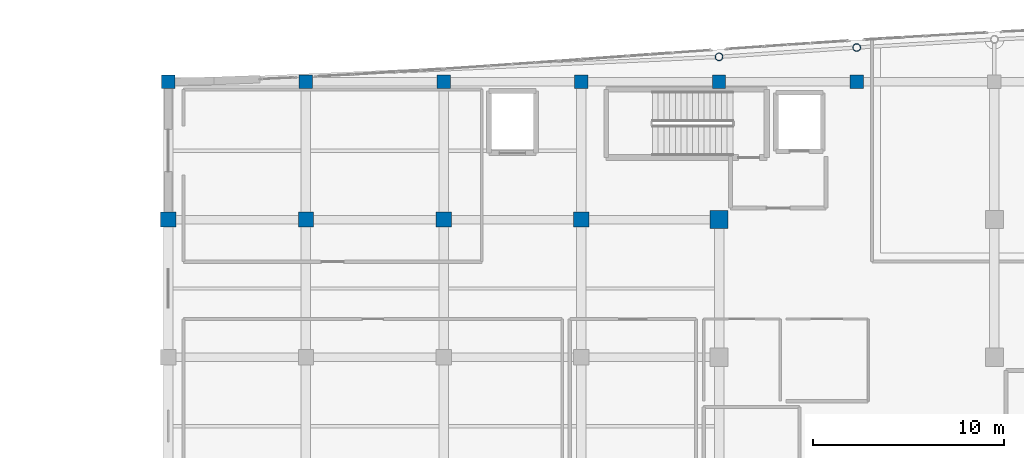
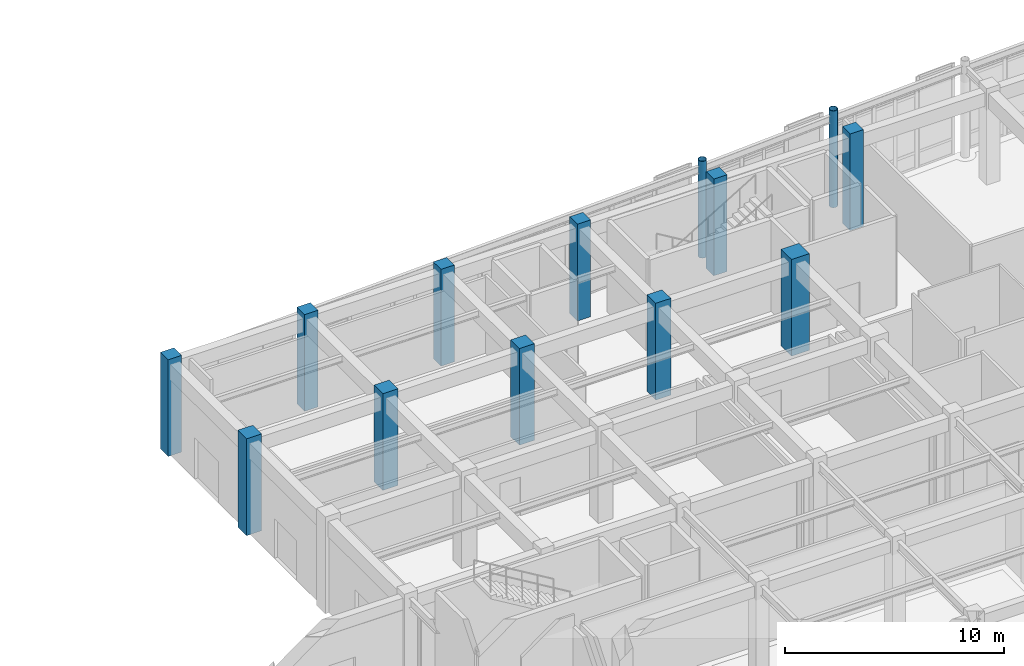
# One storey, part 8 of 102: 13 columns.
"""IFC4 building model written with IfcOpenShell, lengths in metres."""

from ifc_helpers import new_model, si_unit, direction, frame, origin, origin_2d, place, context, subcontext, project, spatial, rectangle, hollow_circle, extrude, material, material_profile, profile_set, type_object, element, save


model = new_model("IFC4")

# Units and contexts
model_context = context("Model", 3, precision=1e-05, world=origin(), true_north=direction((0.0, 1.0)))
body_context = subcontext(model_context, "Body", "Model", "MODEL_VIEW")
ifc_project = project(units=[si_unit("LENGTHUNIT", "METRE"), si_unit("AREAUNIT", "SQUARE_METRE"), si_unit("VOLUMEUNIT", "CUBIC_METRE"), si_unit("PLANEANGLEUNIT", "RADIAN"), si_unit("MASSUNIT", "GRAM", prefix="KILO")], contexts=[model_context])

# Site, building, storey
site_placement = place(None, origin())
site = spatial("IfcSite", under=ifc_project, at=site_placement, CompositionType="ELEMENT")
building_placement = place(site_placement, origin())
building = spatial("IfcBuilding", under=site, at=building_placement, Name="Carrowvane Square Congress Hotel", CompositionType="ELEMENT")
storey_placement = place(building_placement, origin())
storey = spatial("IfcBuildingStorey", under=building, at=storey_placement, Name="L00", CompositionType="ELEMENT", Elevation=0.0)

# Columns
ifc_material_1 = material(Name="Concrete C40/50", Category="concrete")
ifc_material_profile_1 = material_profile(ifc_material_1, rectangle(XDim=0.699951171875, YDim=0.699951171875, at=origin_2d()), Name="RC 700x700")
ifc_profile_set_1 = profile_set([ifc_material_profile_1], Name="Concrete C40/50")
column_type_1 = type_object("IfcColumnType", Name="COL-RC-700", PredefinedType="COLUMN", material=ifc_profile_set_1)
for number, where, z_axis, x_axis, name in (
    (1, (33.199951171875, 113.39990234375, 0.0), (0.0, 0.0, 1.0), (1.0, 0.0, 0.0), "L00 column 4/R"),
    (2, (40.39990234375, 113.39990234375, 0.0), (0.0, 0.0, 1.0), (1.0, 0.0, 0.0), "L00 column 5/R"),
    (3, (47.60009765625, 113.39990234375, 0.0), (0.0, 0.0, 1.0), (1.0, 0.0, 0.0), "L00 column 6/R"),
    (4, (54.800048828125, 113.39990234375, 0.0), (0.0, 0.0, 1.0), (1.0, 0.0, 0.0), "L00 column 7/R"),
    (5, (62.0, 113.39990234375, 0.0), (0.0, 0.0, 1.0), (1.0, 0.0, 0.0), "L00 column 8/R"),
    (6, (69.199951171875, 113.39990234375, 0.0), (0.0, 0.0, 1.0), (1.0, 0.0, 0.0), "L00 column 9/R"),
):
    element("IfcColumn", number, at=place(storey_placement, frame(where, z_axis=z_axis, x_axis=x_axis)), inside=storey, type_object=column_type_1, Name=name, PredefinedType="COLUMN", context=body_context, shape_type="SweptSolid", body=[
        extrude(rectangle(XDim=0.699951171875, YDim=0.699951171875, at=origin_2d()), origin(), (0.0, 0.0, 1.0), 5.39990234375),
    ])
ifc_material_2 = material(Name="Concrete C40/50", Category="concrete")
ifc_material_profile_2 = material_profile(ifc_material_2, rectangle(XDim=0.800048828125, YDim=0.800048828125, at=origin_2d()), Name="RC 800x800")
ifc_profile_set_2 = profile_set([ifc_material_profile_2], Name="Concrete C40/50")
column_type_2 = type_object("IfcColumnType", Name="COL-RC-800", PredefinedType="COLUMN", material=ifc_profile_set_2)
for number, where, z_axis, x_axis, name in (
    (7, (33.199951171875, 106.199951171875, 0.0), (0.0, 0.0, 1.0), (1.0, 0.0, 0.0), "L00 column 4/Q"),
    (8, (40.39990234375, 106.199951171875, 0.0), (0.0, 0.0, 1.0), (1.0, 0.0, 0.0), "L00 column 5/Q"),
    (9, (47.60009765625, 106.199951171875, 0.0), (0.0, 0.0, 1.0), (1.0, 0.0, 0.0), "L00 column 6/Q"),
    (10, (54.800048828125, 106.199951171875, 0.0), (0.0, 0.0, 1.0), (1.0, 0.0, 0.0), "L00 column 7/Q"),
):
    element("IfcColumn", number, at=place(storey_placement, frame(where, z_axis=z_axis, x_axis=x_axis)), inside=storey, type_object=column_type_2, Name=name, PredefinedType="COLUMN", context=body_context, shape_type="SweptSolid", body=[
        extrude(rectangle(XDim=0.800048828125, YDim=0.800048828125, at=origin_2d()), origin(), (0.0, 0.0, 1.0), 5.39990234375),
    ])
ifc_material_3 = material(Name="Steel S355", Category="steel")
ifc_material_profile_3 = material_profile(ifc_material_3, hollow_circle(Radius=0.203125, WallThickness=0.02001953125, at=origin_2d()), Name="CHS 406.4x20")
ifc_profile_set_3 = profile_set([ifc_material_profile_3], Name="Steel S355")
column_type_3 = type_object("IfcColumnType", Name="COL-ST-CHS406", PredefinedType="COLUMN", material=ifc_profile_set_3)
for number, where, z_axis, x_axis, name in (
    (11, (62.0, 114.7060546875, 0.0), (0.0, 0.0, 1.0), (1.0, 0.0, 0.0), "L00 column 8/ARC"),
    (12, (69.199951171875, 115.1943359375, 0.0), (0.0, 0.0, 1.0), (1.0, 0.0, 0.0), "L00 column 9/ARC"),
):
    element("IfcColumn", number, at=place(storey_placement, frame(where, z_axis=z_axis, x_axis=x_axis)), inside=storey, type_object=column_type_3, Name=name, PredefinedType="COLUMN", context=body_context, shape_type="SweptSolid", body=[
        extrude(hollow_circle(Radius=0.203125, WallThickness=0.02001953125, at=origin_2d()), origin(), (0.0, 0.0, 1.0), 5.39990234375),
    ])
ifc_material_4 = material(Name="Concrete C40/50", Category="concrete")
ifc_material_profile_4 = material_profile(ifc_material_4, rectangle(XDim=0.949951171875, YDim=0.949951171875, at=origin_2d()), Name="RC 950x950")
ifc_profile_set_4 = profile_set([ifc_material_profile_4], Name="Concrete C40/50")
column_type_4 = type_object("IfcColumnType", Name="MCOL-RC-1000", PredefinedType="COLUMN", material=ifc_profile_set_4)
column_placement = place(storey_placement, frame((62.0, 106.199951171875, 0.0), z_axis=(0.0, 0.0, 1.0), x_axis=(1.0, 0.0, 0.0)))
element("IfcColumn", 13, at=column_placement, inside=storey, type_object=column_type_4, Name="L00 column 8/Q", PredefinedType="COLUMN", context=body_context, shape_type="SweptSolid", body=[
    extrude(rectangle(XDim=0.949951171875, YDim=0.949951171875, at=origin_2d()), origin(), (0.0, 0.0, 1.0), 5.39990234375),
])

save(model, "model.ifc")
